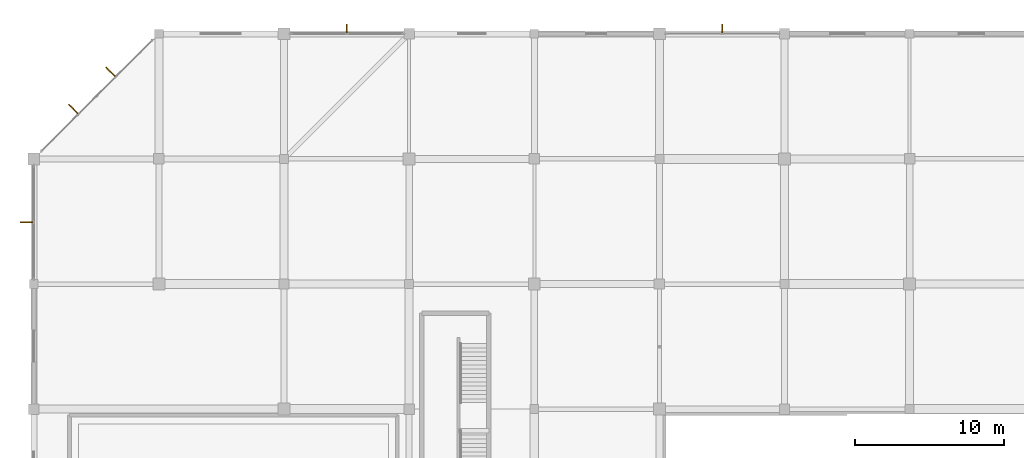
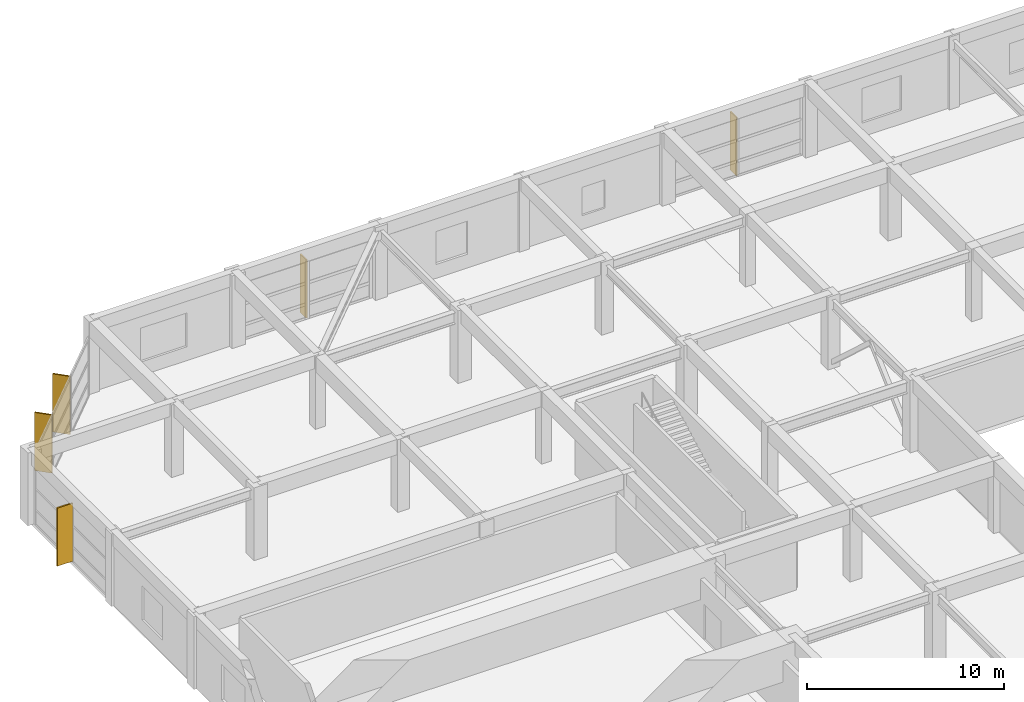
# One storey, part 59 of 62: 5 shading devices.
"""IFC4 building model written with IfcOpenShell, lengths in metres."""

from ifc_helpers import new_model, si_unit, direction, frame, origin, origin_2d, place, context, subcontext, project, spatial, rectangle, extrude, material, type_object, element, save


model = new_model("IFC4")

# Units and contexts
model_context = context("Model", 3, precision=1e-05, world=origin(), true_north=direction((0.0, 1.0)))
body_context = subcontext(model_context, "Body", "Model", "MODEL_VIEW")
ifc_project = project(units=[si_unit("LENGTHUNIT", "METRE"), si_unit("AREAUNIT", "SQUARE_METRE"), si_unit("VOLUMEUNIT", "CUBIC_METRE"), si_unit("PLANEANGLEUNIT", "RADIAN"), si_unit("MASSUNIT", "GRAM", prefix="KILO")], contexts=[model_context])

# Site, building, storey
site_placement = place(None, origin())
site = spatial("IfcSite", under=ifc_project, at=site_placement, CompositionType="ELEMENT")
building_placement = place(site_placement, origin())
building = spatial("IfcBuilding", under=site, at=building_placement, Name="Xuanlan Plaza Opera House", CompositionType="ELEMENT")
storey_placement = place(building_placement, frame((0.0, 0.0, 14.39990234375)))
storey = spatial("IfcBuildingStorey", under=building, at=storey_placement, Name="L03", CompositionType="ELEMENT", Elevation=14.39990234375)

# Shading devices
ifc_material = material(Name="Anodised Aluminium 6063-T6", Category="aluminium")
shading_device_type_1 = type_object("IfcShadingDeviceType", Name="ENV-SHD-BRS01", PredefinedType="JALOUSIE", material=ifc_material)
for number, where, z_axis, x_axis, name in (
    (1, (46.22509765625, 101.125, 0.0400390625), (0.0, 0.0, 1.0), (0.0, 1.0, 0.0), "Parametric Sunshade Fin L03-0188"),
    (2, (21.02490234375, 101.125, 0.0400390625), (0.0, 0.0, 1.0), (0.0, 1.0, 0.0), "Parametric Sunshade Fin L03-0189"),
):
    element("IfcShadingDevice", number, at=place(storey_placement, frame(where, z_axis=z_axis, x_axis=x_axis)), inside=storey, type_object=shading_device_type_1, Name=name, PredefinedType="JALOUSIE", context=body_context, shape_type="SweptSolid", body=[
        extrude(rectangle(XDim=0.639892578125, YDim=0.070068359375, at=origin_2d()), origin(), (0.0, 0.0, 1.0), 3.60009765625),
    ])
shading_device_type_2 = type_object("IfcShadingDeviceType", Name="ENV-SHD-BRS02", PredefinedType="JALOUSIE", material=ifc_material)
for number, where, z_axis, x_axis, name in (
    (3, (5.17138671875, 98.22900390625, 0.0400390625), (0.0, 0.0, 1.0), (-0.707106781187, 0.707106781187, 0.0), "Parametric Sunshade Fin L03-0190"),
    (4, (2.6708984375, 95.728515625, 0.0400390625), (0.0, 0.0, 1.0), (-0.707106781187, 0.707106781187, 0.0), "Parametric Sunshade Fin L03-0191"),
    (5, (-0.465087890625, 88.14990234375, 0.0400390625), (0.0, 0.0, 1.0), (-1.0, 0.0, 0.0), "Parametric Sunshade Fin L03-0192"),
):
    element("IfcShadingDevice", number, at=place(storey_placement, frame(where, z_axis=z_axis, x_axis=x_axis)), inside=storey, type_object=shading_device_type_2, Name=name, PredefinedType="JALOUSIE", context=body_context, shape_type="SweptSolid", body=[
        extrude(rectangle(XDim=0.919921875, YDim=0.080078125, at=origin_2d()), origin(), (0.0, 0.0, 1.0), 3.60009765625),
    ])

save(model, "model.ifc")
